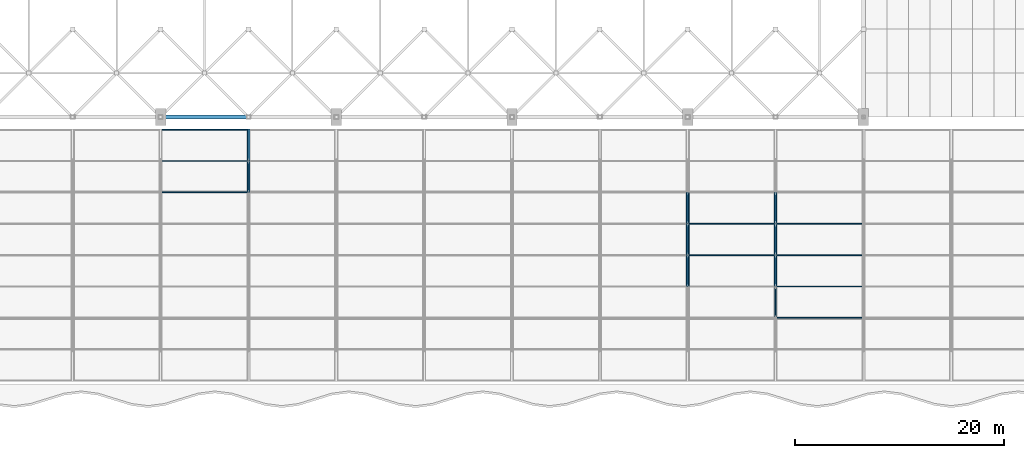
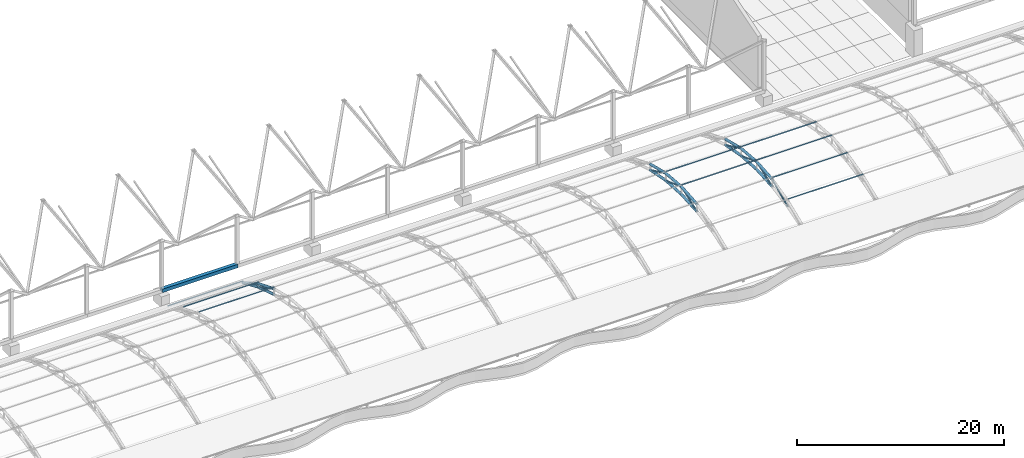
# One storey, part 19 of 163: 34 members.
"""IFC4 building model written with IfcOpenShell, lengths in metres."""

from ifc_helpers import new_model, si_unit, direction, frame, origin, origin_2d, place, context, subcontext, project, spatial, hollow_rectangle, hollow_circle, extrude, material, material_profile, profile_set, type_object, element, save


model = new_model("IFC4")

# Units and contexts
model_context = context("Model", 3, precision=1e-05, world=origin(), true_north=direction((0.0, 1.0)))
body_context = subcontext(model_context, "Body", "Model", "MODEL_VIEW")
ifc_project = project(units=[si_unit("LENGTHUNIT", "METRE"), si_unit("AREAUNIT", "SQUARE_METRE"), si_unit("VOLUMEUNIT", "CUBIC_METRE"), si_unit("PLANEANGLEUNIT", "RADIAN"), si_unit("MASSUNIT", "GRAM", prefix="KILO")], contexts=[model_context])

# Site, building, storey
site_placement = place(None, origin())
site = spatial("IfcSite", under=ifc_project, at=site_placement, CompositionType="ELEMENT")
building_placement = place(site_placement, origin())
building = spatial("IfcBuilding", under=site, at=building_placement, Name="Rain Tree Exposition and Congress Centre", CompositionType="ELEMENT")
storey_placement = place(building_placement, frame((0.0, 0.0, 10.5)))
storey = spatial("IfcBuildingStorey", under=building, at=storey_placement, Name="L02", CompositionType="ELEMENT", Elevation=10.5)

# Members
ifc_material_1 = material(Name="Steel S355J2H", Category="steel")
ifc_material_profile_1 = material_profile(ifc_material_1, hollow_circle(Radius=0.090087890625, WallThickness=0.008056640625, at=origin_2d()), Name="CHS 180x8")
ifc_profile_set_1 = profile_set([ifc_material_profile_1], Name="Steel S355J2H")
member_type_1 = type_object("IfcMemberType", Name="Steel brace member CHS 180x8", PredefinedType="BRACE", material=ifc_profile_set_1)
member_1_placement = place(storey_placement, frame((67.199951171875, 96.60009765625, 1.4423828125), z_axis=(0.0, -0.880818418444, 0.473454236151), x_axis=(1.0, 0.0, 0.0)))
element("IfcMember", 1, at=member_1_placement, inside=storey, type_object=member_type_1, Name="Roof truss 9 diagonal 6", PredefinedType="BRACE", context=body_context, shape_type="SweptSolid", body=[
    extrude(hollow_circle(Radius=0.090087890625, WallThickness=0.008056640625, at=origin_2d()), origin(), (0.0, 0.0, 1.0), 3.406005859375),
])
for number, where, z_axis, x_axis, name in (
    (2, (109.199951171875, 84.60009765625, 2.9423828125), (0.0, 0.940121356633, 0.340839896143), (-1.0, 0.0, 0.0), "Roof truss 14 diagonal 3"),
    (3, (109.199951171875, 90.60009765625, 2.9423828125), (0.0, -0.940121356633, 0.340839896143), (1.0, 0.0, 0.0), "Roof truss 14 diagonal 4"),
):
    element("IfcMember", number, at=place(storey_placement, frame(where, z_axis=z_axis, x_axis=x_axis)), inside=storey, type_object=member_type_1, Name=name, PredefinedType="BRACE", context=body_context, shape_type="SweptSolid", body=[
        extrude(hollow_circle(Radius=0.090087890625, WallThickness=0.008056640625, at=origin_2d()), origin(), (0.0, 0.0, 1.0), 3.191162109375),
    ])
for number, where, z_axis, x_axis, name in (
    (4, (109.199951171875, 93.60009765625, 2.3798828125), (0.0, -0.905430616583, 0.424494285655), (1.0, 0.0, 0.0), "Roof truss 14 diagonal 5"),
    (5, (117.60009765625, 81.60009765625, 2.3798828125), (0.0, 0.905430616583, 0.424494285655), (-1.0, 0.0, 0.0), "Roof truss 15 diagonal 2"),
):
    element("IfcMember", number, at=place(storey_placement, frame(where, z_axis=z_axis, x_axis=x_axis)), inside=storey, type_object=member_type_1, Name=name, PredefinedType="BRACE", context=body_context, shape_type="SweptSolid", body=[
        extrude(hollow_circle(Radius=0.090087890625, WallThickness=0.008056640625, at=origin_2d()), origin(), (0.0, 0.0, 1.0), 3.313232421875),
    ])
for number, where, z_axis, x_axis, name in (
    (6, (117.60009765625, 84.60009765625, 2.9423828125), (0.0, 0.940121356633, 0.340839896143), (-1.0, 0.0, 0.0), "Roof truss 15 diagonal 3"),
    (7, (117.60009765625, 90.60009765625, 2.9423828125), (0.0, -0.940121356633, 0.340839896143), (1.0, 0.0, 0.0), "Roof truss 15 diagonal 4"),
):
    element("IfcMember", number, at=place(storey_placement, frame(where, z_axis=z_axis, x_axis=x_axis)), inside=storey, type_object=member_type_1, Name=name, PredefinedType="BRACE", context=body_context, shape_type="SweptSolid", body=[
        extrude(hollow_circle(Radius=0.090087890625, WallThickness=0.008056640625, at=origin_2d()), origin(), (0.0, 0.0, 1.0), 3.191162109375),
    ])
member_2_placement = place(storey_placement, frame((117.60009765625, 93.60009765625, 2.3798828125), z_axis=(0.0, -0.905430616583, 0.424494285655), x_axis=(1.0, 0.0, 0.0)))
element("IfcMember", 8, at=member_2_placement, inside=storey, type_object=member_type_1, Name="Roof truss 15 diagonal 5", PredefinedType="BRACE", context=body_context, shape_type="SweptSolid", body=[
    extrude(hollow_circle(Radius=0.090087890625, WallThickness=0.008056640625, at=origin_2d()), origin(), (0.0, 0.0, 1.0), 3.313232421875),
])
ifc_material_2 = material(Name="Steel S355J2H", Category="steel")
ifc_material_profile_2 = material_profile(ifc_material_2, hollow_circle(Radius=0.14990234375, WallThickness=0.013916015625, at=origin_2d()), Name="CHS 300x14")
ifc_profile_set_2 = profile_set([ifc_material_profile_2], Name="Steel S355J2H")
member_type_2 = type_object("IfcMemberType", Name="Steel chord member CHS 300x14", PredefinedType="CHORD", material=ifc_profile_set_2)
member_3_placement = place(storey_placement, frame((67.199951171875, 93.60009765625, 3.054931640625), z_axis=(0.0, 0.926466577122, -0.376377046956), x_axis=(-1.0, 0.0, 0.0)))
element("IfcMember", 9, at=member_3_placement, inside=storey, type_object=member_type_2, Name="Roof truss 9 top chord 7", PredefinedType="CHORD", context=body_context, shape_type="SweptSolid", body=[
    extrude(hollow_circle(Radius=0.14990234375, WallThickness=0.013916015625, at=origin_2d()), origin(), (0.0, 0.0, 1.0), 3.238037109375),
])
member_4_placement = place(storey_placement, frame((67.199951171875, 93.60009765625, 2.3798828125), z_axis=(0.0, 0.954479978035, -0.298274993136), x_axis=(-1.0, 0.0, 0.0)))
element("IfcMember", 10, at=member_4_placement, inside=storey, type_object=member_type_2, Name="Roof truss 9 bottom chord 7", PredefinedType="CHORD", context=body_context, shape_type="SweptSolid", body=[
    extrude(hollow_circle(Radius=0.14990234375, WallThickness=0.013916015625, at=origin_2d()), origin(), (0.0, 0.0, 1.0), 3.14306640625),
])
member_5_placement = place(storey_placement, frame((67.199951171875, 96.60009765625, 1.836181640625), z_axis=(0.0, 0.869238262324, -0.494393409455), x_axis=(-1.0, 0.0, 0.0)))
element("IfcMember", 11, at=member_5_placement, inside=storey, type_object=member_type_2, Name="Roof truss 9 top chord 8", PredefinedType="CHORD", context=body_context, shape_type="SweptSolid", body=[
    extrude(hollow_circle(Radius=0.14990234375, WallThickness=0.013916015625, at=origin_2d()), origin(), (0.0, 0.0, 1.0), 3.451416015625),
])
member_6_placement = place(storey_placement, frame((67.199951171875, 96.60009765625, 1.4423828125), z_axis=(0.0, 0.916157334902, -0.40081883402), x_axis=(-1.0, 0.0, 0.0)))
element("IfcMember", 12, at=member_6_placement, inside=storey, type_object=member_type_2, Name="Roof truss 9 bottom chord 8", PredefinedType="CHORD", context=body_context, shape_type="SweptSolid", body=[
    extrude(hollow_circle(Radius=0.14990234375, WallThickness=0.013916015625, at=origin_2d()), origin(), (0.0, 0.0, 1.0), 3.274658203125),
])
member_7_placement = place(storey_placement, frame((109.199951171875, 84.60009765625, 3.786376953125), z_axis=(0.0, 0.996718090462, 0.0809508996), x_axis=(-1.0, 0.0, 0.0)))
element("IfcMember", 13, at=member_7_placement, inside=storey, type_object=member_type_2, Name="Roof truss 14 top chord 4", PredefinedType="CHORD", context=body_context, shape_type="SweptSolid", body=[
    extrude(hollow_circle(Radius=0.14990234375, WallThickness=0.013916015625, at=origin_2d()), origin(), (0.0, 0.0, 1.0), 3.009765625),
])
member_8_placement = place(storey_placement, frame((109.199951171875, 84.60009765625, 2.9423828125), z_axis=(0.0, 0.998052578483, 0.062378286155), x_axis=(-1.0, 0.0, 0.0)))
element("IfcMember", 14, at=member_8_placement, inside=storey, type_object=member_type_2, Name="Roof truss 14 bottom chord 4", PredefinedType="CHORD", context=body_context, shape_type="SweptSolid", body=[
    extrude(hollow_circle(Radius=0.14990234375, WallThickness=0.013916015625, at=origin_2d()), origin(), (0.0, 0.0, 1.0), 3.005859375),
])
member_9_placement = place(storey_placement, frame((109.199951171875, 87.60009765625, 4.030029296875), z_axis=(0.0, 0.996718090462, -0.0809508996), x_axis=(-1.0, 0.0, 0.0)))
element("IfcMember", 15, at=member_9_placement, inside=storey, type_object=member_type_2, Name="Roof truss 14 top chord 5", PredefinedType="CHORD", context=body_context, shape_type="SweptSolid", body=[
    extrude(hollow_circle(Radius=0.14990234375, WallThickness=0.013916015625, at=origin_2d()), origin(), (0.0, 0.0, 1.0), 3.009765625),
])
member_10_placement = place(storey_placement, frame((109.199951171875, 87.60009765625, 3.1298828125), z_axis=(0.0, 0.998052578483, -0.062378286155), x_axis=(-1.0, 0.0, 0.0)))
element("IfcMember", 16, at=member_10_placement, inside=storey, type_object=member_type_2, Name="Roof truss 14 bottom chord 5", PredefinedType="CHORD", context=body_context, shape_type="SweptSolid", body=[
    extrude(hollow_circle(Radius=0.14990234375, WallThickness=0.013916015625, at=origin_2d()), origin(), (0.0, 0.0, 1.0), 3.005859375),
])
member_11_placement = place(storey_placement, frame((109.199951171875, 90.60009765625, 3.786376953125), z_axis=(0.0, 0.971539868448, -0.236876094228), x_axis=(-1.0, 0.0, 0.0)))
element("IfcMember", 17, at=member_11_placement, inside=storey, type_object=member_type_2, Name="Roof truss 14 top chord 6", PredefinedType="CHORD", context=body_context, shape_type="SweptSolid", body=[
    extrude(hollow_circle(Radius=0.14990234375, WallThickness=0.013916015625, at=origin_2d()), origin(), (0.0, 0.0, 1.0), 3.087890625),
])
member_12_placement = place(storey_placement, frame((109.199951171875, 90.60009765625, 2.9423828125), z_axis=(0.0, 0.982872186934, -0.18428853505), x_axis=(-1.0, 0.0, 0.0)))
element("IfcMember", 18, at=member_12_placement, inside=storey, type_object=member_type_2, Name="Roof truss 14 bottom chord 6", PredefinedType="CHORD", context=body_context, shape_type="SweptSolid", body=[
    extrude(hollow_circle(Radius=0.14990234375, WallThickness=0.013916015625, at=origin_2d()), origin(), (0.0, 0.0, 1.0), 3.05224609375),
])
member_13_placement = place(storey_placement, frame((117.60009765625, 84.60009765625, 3.786376953125), z_axis=(0.0, 0.996718090462, 0.0809508996), x_axis=(-1.0, 0.0, 0.0)))
element("IfcMember", 19, at=member_13_placement, inside=storey, type_object=member_type_2, Name="Roof truss 15 top chord 4", PredefinedType="CHORD", context=body_context, shape_type="SweptSolid", body=[
    extrude(hollow_circle(Radius=0.14990234375, WallThickness=0.013916015625, at=origin_2d()), origin(), (0.0, 0.0, 1.0), 3.009765625),
])
member_14_placement = place(storey_placement, frame((117.60009765625, 84.60009765625, 2.9423828125), z_axis=(0.0, 0.998052578483, 0.062378286155), x_axis=(-1.0, 0.0, 0.0)))
element("IfcMember", 20, at=member_14_placement, inside=storey, type_object=member_type_2, Name="Roof truss 15 bottom chord 4", PredefinedType="CHORD", context=body_context, shape_type="SweptSolid", body=[
    extrude(hollow_circle(Radius=0.14990234375, WallThickness=0.013916015625, at=origin_2d()), origin(), (0.0, 0.0, 1.0), 3.005859375),
])
member_15_placement = place(storey_placement, frame((117.60009765625, 87.60009765625, 4.030029296875), z_axis=(0.0, 0.996718090462, -0.0809508996), x_axis=(-1.0, 0.0, 0.0)))
element("IfcMember", 21, at=member_15_placement, inside=storey, type_object=member_type_2, Name="Roof truss 15 top chord 5", PredefinedType="CHORD", context=body_context, shape_type="SweptSolid", body=[
    extrude(hollow_circle(Radius=0.14990234375, WallThickness=0.013916015625, at=origin_2d()), origin(), (0.0, 0.0, 1.0), 3.009765625),
])
member_16_placement = place(storey_placement, frame((117.60009765625, 87.60009765625, 3.1298828125), z_axis=(0.0, 0.998052578483, -0.062378286155), x_axis=(-1.0, 0.0, 0.0)))
element("IfcMember", 22, at=member_16_placement, inside=storey, type_object=member_type_2, Name="Roof truss 15 bottom chord 5", PredefinedType="CHORD", context=body_context, shape_type="SweptSolid", body=[
    extrude(hollow_circle(Radius=0.14990234375, WallThickness=0.013916015625, at=origin_2d()), origin(), (0.0, 0.0, 1.0), 3.005859375),
])
member_17_placement = place(storey_placement, frame((117.60009765625, 90.60009765625, 3.786376953125), z_axis=(0.0, 0.971539868448, -0.236876094228), x_axis=(-1.0, 0.0, 0.0)))
element("IfcMember", 23, at=member_17_placement, inside=storey, type_object=member_type_2, Name="Roof truss 15 top chord 6", PredefinedType="CHORD", context=body_context, shape_type="SweptSolid", body=[
    extrude(hollow_circle(Radius=0.14990234375, WallThickness=0.013916015625, at=origin_2d()), origin(), (0.0, 0.0, 1.0), 3.087890625),
])
member_18_placement = place(storey_placement, frame((117.60009765625, 90.60009765625, 2.9423828125), z_axis=(0.0, 0.982872186934, -0.18428853505), x_axis=(-1.0, 0.0, 0.0)))
element("IfcMember", 24, at=member_18_placement, inside=storey, type_object=member_type_2, Name="Roof truss 15 bottom chord 6", PredefinedType="CHORD", context=body_context, shape_type="SweptSolid", body=[
    extrude(hollow_circle(Radius=0.14990234375, WallThickness=0.013916015625, at=origin_2d()), origin(), (0.0, 0.0, 1.0), 3.05224609375),
])
ifc_material_3 = material(Name="Steel S355J2H", Category="steel")
ifc_material_profile_3 = material_profile(ifc_material_3, hollow_rectangle(XDim=0.39990234375, YDim=0.39990234375, WallThickness=0.011962890625, at=origin_2d()), Name="RHS 400x400x12")
ifc_profile_set_3 = profile_set([ifc_material_profile_3], Name="Steel S355J2H")
member_type_3 = type_object("IfcMemberType", Name="Steel chord member RHS 400x400x12", PredefinedType="CHORD", material=ifc_profile_set_3)
member_19_placement = place(storey_placement, frame((58.800048828125, 100.800048828125, 1.5), z_axis=(1.0, 0.0, 0.0), x_axis=(0.0, 1.0, 0.0)))
element("IfcMember", 25, at=member_19_placement, inside=storey, type_object=member_type_3, Name="Eaves chord 1351", PredefinedType="CHORD", context=body_context, shape_type="SweptSolid", body=[
    extrude(hollow_rectangle(XDim=0.39990234375, YDim=0.39990234375, WallThickness=0.011962890625, at=origin_2d()), origin(), (0.0, 0.0, 1.0), 8.39990234375),
])
ifc_material_4 = material(Name="Steel S355J2H", Category="steel")
ifc_material_profile_4 = material_profile(ifc_material_4, hollow_circle(Radius=0.070068359375, WallThickness=0.006103515625, at=origin_2d()), Name="CHS 140x6")
ifc_profile_set_4 = profile_set([ifc_material_profile_4], Name="Steel S355J2H")
member_type_4 = type_object("IfcMemberType", Name="Steel purlin member CHS 140x6", PredefinedType="PURLIN", material=ifc_profile_set_4)
for number, where, z_axis, x_axis, name in (
    (26, (117.60009765625, 81.60009765625, 3.27490234375), (1.0, 0.0, 0.0), (0.0, 1.0, 0.0), "Roof purlin 3.15"),
    (27, (117.60009765625, 84.60009765625, 4.00634765625), (1.0, 0.0, 0.0), (0.0, 1.0, 0.0), "Roof purlin 4.15"),
):
    element("IfcMember", number, at=place(storey_placement, frame(where, z_axis=z_axis, x_axis=x_axis)), inside=storey, type_object=member_type_4, Name=name, PredefinedType="PURLIN", context=body_context, shape_type="SweptSolid", body=[
        extrude(hollow_circle(Radius=0.070068359375, WallThickness=0.006103515625, at=origin_2d()), origin(), (0.0, 0.0, 1.0), 8.39990234375),
    ])
member_20_placement = place(storey_placement, frame((109.199951171875, 87.60009765625, 4.25), z_axis=(1.0, 0.0, 0.0), x_axis=(0.0, 1.0, 0.0)))
element("IfcMember", 28, at=member_20_placement, inside=storey, type_object=member_type_4, Name="Roof purlin 5.14", PredefinedType="PURLIN", context=body_context, shape_type="SweptSolid", body=[
    extrude(hollow_circle(Radius=0.070068359375, WallThickness=0.006103515625, at=origin_2d()), origin(), (0.0, 0.0, 1.0), 8.400146484375),
])
member_21_placement = place(storey_placement, frame((117.60009765625, 87.60009765625, 4.25), z_axis=(1.0, 0.0, 0.0), x_axis=(0.0, 1.0, 0.0)))
element("IfcMember", 29, at=member_21_placement, inside=storey, type_object=member_type_4, Name="Roof purlin 5.15", PredefinedType="PURLIN", context=body_context, shape_type="SweptSolid", body=[
    extrude(hollow_circle(Radius=0.070068359375, WallThickness=0.006103515625, at=origin_2d()), origin(), (0.0, 0.0, 1.0), 8.39990234375),
])
member_22_placement = place(storey_placement, frame((109.199951171875, 90.60009765625, 4.00634765625), z_axis=(1.0, 0.0, 0.0), x_axis=(0.0, 1.0, 0.0)))
element("IfcMember", 30, at=member_22_placement, inside=storey, type_object=member_type_4, Name="Roof purlin 6.14", PredefinedType="PURLIN", context=body_context, shape_type="SweptSolid", body=[
    extrude(hollow_circle(Radius=0.070068359375, WallThickness=0.006103515625, at=origin_2d()), origin(), (0.0, 0.0, 1.0), 8.400146484375),
])
for number, where, z_axis, x_axis, name in (
    (31, (117.60009765625, 90.60009765625, 4.00634765625), (1.0, 0.0, 0.0), (0.0, 1.0, 0.0), "Roof purlin 6.15"),
    (32, (58.800048828125, 93.60009765625, 3.27490234375), (1.0, 0.0, 0.0), (0.0, 1.0, 0.0), "Roof purlin 7.8"),
    (33, (58.800048828125, 96.60009765625, 2.056396484375), (1.0, 0.0, 0.0), (0.0, 1.0, 0.0), "Roof purlin 8.8"),
    (34, (58.800048828125, 99.60009765625, 0.35009765625), (1.0, 0.0, 0.0), (0.0, 1.0, 0.0), "Roof purlin 9.8"),
):
    element("IfcMember", number, at=place(storey_placement, frame(where, z_axis=z_axis, x_axis=x_axis)), inside=storey, type_object=member_type_4, Name=name, PredefinedType="PURLIN", context=body_context, shape_type="SweptSolid", body=[
        extrude(hollow_circle(Radius=0.070068359375, WallThickness=0.006103515625, at=origin_2d()), origin(), (0.0, 0.0, 1.0), 8.39990234375),
    ])

save(model, "model.ifc")
